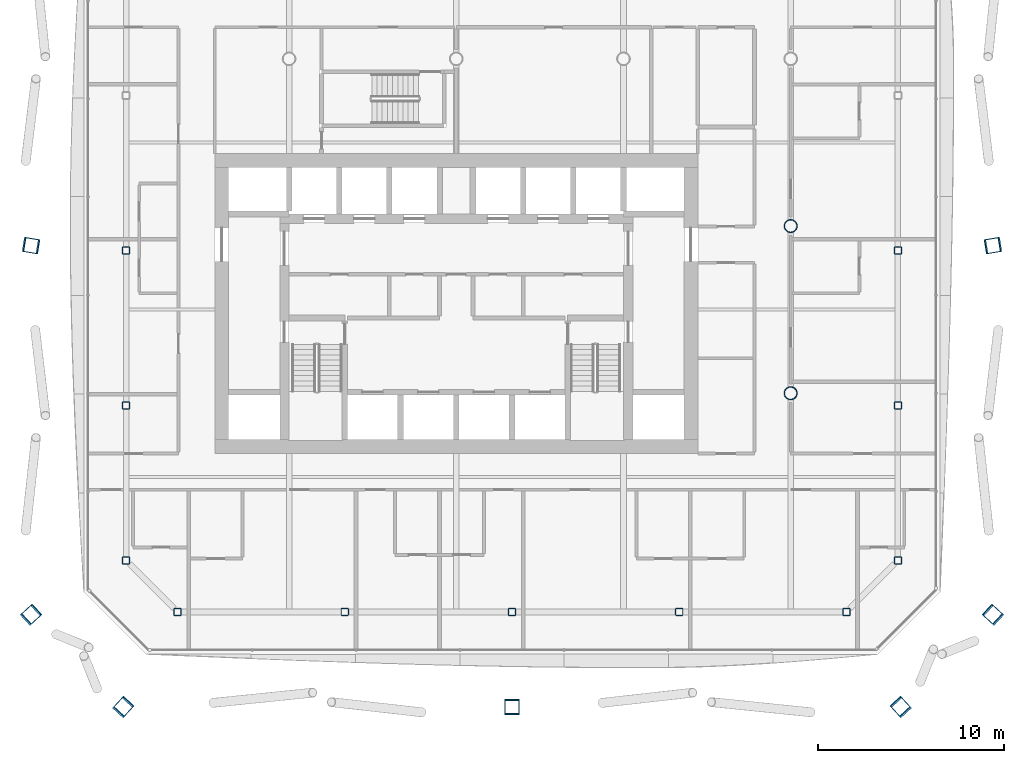
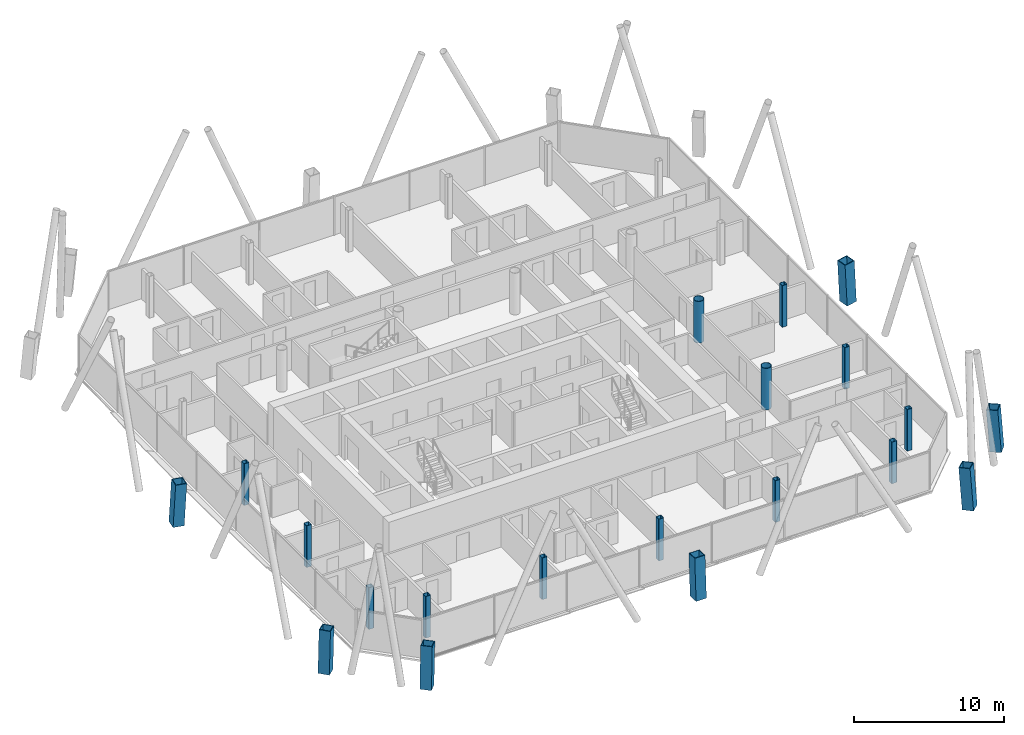
# One storey, part 1 of 23: 20 columns.
"""IFC4 building model written with IfcOpenShell, lengths in metres."""

from ifc_helpers import new_model, si_unit, direction, frame, origin, origin_2d, place, context, subcontext, project, spatial, hollow_rectangle, hollow_circle, extrude, material, material_profile, profile_set, type_object, element, save


model = new_model("IFC4")

# Units and contexts
model_context = context("Model", 3, precision=1e-05, world=origin(), true_north=direction((0.0, 1.0)))
body_context = subcontext(model_context, "Body", "Model", "MODEL_VIEW")
ifc_project = project(units=[si_unit("LENGTHUNIT", "METRE"), si_unit("AREAUNIT", "SQUARE_METRE"), si_unit("VOLUMEUNIT", "CUBIC_METRE"), si_unit("PLANEANGLEUNIT", "RADIAN"), si_unit("MASSUNIT", "GRAM", prefix="KILO")], contexts=[model_context])

# Site, building, storey
site_placement = place(None, origin())
site = spatial("IfcSite", under=ifc_project, at=site_placement, CompositionType="ELEMENT")
building_placement = place(site_placement, origin())
building = spatial("IfcBuilding", under=site, at=building_placement, Name="Tskaro Facet Tower", CompositionType="ELEMENT")
storey_placement = place(building_placement, frame((0.0, 0.0, 131.699951171875)))
storey = spatial("IfcBuildingStorey", under=building, at=storey_placement, Name="L31", CompositionType="ELEMENT", Elevation=131.699951171875)

# Columns
ifc_material_1 = material(Name="Steel S460M", Category="steel")
ifc_material_profile_1 = material_profile(ifc_material_1, hollow_rectangle(XDim=0.800048828125, YDim=0.800048828125, WallThickness=0.050048828125, at=origin_2d()), Name="BOX 800x800x50")
ifc_profile_set_1 = profile_set([ifc_material_profile_1], Name="Steel S460M")
column_type_1 = type_object("IfcColumnType", Name="BOX 800x800x50 mega column", PredefinedType="COLUMN", material=ifc_profile_set_1)
column_1_placement = place(storey_placement, frame((-17.950927734375, -25.9189453125, 0.0), z_axis=(0.048984240658, 0.053352718261, 0.997373566735), x_axis=(-0.736620357353, 0.676306475744, 0.0)))
element("IfcColumn", 1, at=column_1_placement, inside=storey, type_object=column_type_1, Name="BOX 800x800x50 MC01/3", PredefinedType="COLUMN", context=body_context, shape_type="SweptSolid", body=[
    extrude(hollow_rectangle(XDim=0.800048828125, YDim=0.800048828125, WallThickness=0.050048828125, at=origin_2d()), origin(), (0.0, 0.0, 1.0), 3.4091796875),
])
column_2_placement = place(storey_placement, frame((3.0, -25.9189453125, 0.0), z_axis=(0.0, 0.053416842427, 0.998572301311), x_axis=(-1.0, 0.0, 0.0)))
element("IfcColumn", 2, at=column_2_placement, inside=storey, type_object=column_type_1, Name="BOX 800x800x50 MC02/3", PredefinedType="COLUMN", context=body_context, shape_type="SweptSolid", body=[
    extrude(hollow_rectangle(XDim=0.800048828125, YDim=0.800048828125, WallThickness=0.050048828125, at=origin_2d()), origin(), (0.0, 0.0, 1.0), 3.405029296875),
])
for number, where, z_axis, x_axis, name in (
    (3, (23.950927734375, -25.9189453125, 0.0), (-0.048984240658, 0.053352718261, 0.997373566735), (-0.736620357353, -0.676306475744, 0.0), "BOX 800x800x50 MC03/3"),
    (4, (28.9189453125, -20.950927734375, 0.0), (-0.053352718261, 0.048984240658, 0.997373566735), (-0.676306475744, -0.736620357353, 0.0), "BOX 800x800x50 MC04/3"),
):
    element("IfcColumn", number, at=place(storey_placement, frame(where, z_axis=z_axis, x_axis=x_axis)), inside=storey, type_object=column_type_1, Name=name, PredefinedType="COLUMN", context=body_context, shape_type="SweptSolid", body=[
        extrude(hollow_rectangle(XDim=0.800048828125, YDim=0.800048828125, WallThickness=0.050048828125, at=origin_2d()), origin(), (0.0, 0.0, 1.0), 3.4091796875),
    ])
for number, where, z_axis, x_axis, name in (
    (5, (28.9189453125, -1.0458984375, 0.0), (-0.053414765233, -0.008818813589, 0.998533470336), (0.162895476227, -0.986643331617, 0.0), "BOX 800x800x50 MC05/3"),
    (6, (-22.9189453125, -1.0458984375, 0.0), (0.053414765233, -0.008818813589, 0.998533470336), (0.162895476227, 0.986643331617, 0.0), "BOX 800x800x50 MC11/3"),
):
    element("IfcColumn", number, at=place(storey_placement, frame(where, z_axis=z_axis, x_axis=x_axis)), inside=storey, type_object=column_type_1, Name=name, PredefinedType="COLUMN", context=body_context, shape_type="SweptSolid", body=[
        extrude(hollow_rectangle(XDim=0.800048828125, YDim=0.800048828125, WallThickness=0.050048828125, at=origin_2d()), origin(), (0.0, 0.0, 1.0), 3.405029296875),
    ])
column_3_placement = place(storey_placement, frame((-22.9189453125, -20.950927734375, 0.0), z_axis=(0.053352718261, 0.048984240658, 0.997373566735), x_axis=(-0.676306475744, 0.736620357353, 0.0)))
element("IfcColumn", 7, at=column_3_placement, inside=storey, type_object=column_type_1, Name="BOX 800x800x50 MC12/3", PredefinedType="COLUMN", context=body_context, shape_type="SweptSolid", body=[
    extrude(hollow_rectangle(XDim=0.800048828125, YDim=0.800048828125, WallThickness=0.050048828125, at=origin_2d()), origin(), (0.0, 0.0, 1.0), 3.4091796875),
])
ifc_material_2 = material(Name="Steel S355J2H", Category="steel")
ifc_material_profile_2 = material_profile(ifc_material_2, hollow_circle(Radius=0.35546875, WallThickness=0.031982421875, at=origin_2d()), Name="CHS 711x32")
ifc_profile_set_2 = profile_set([ifc_material_profile_2], Name="Steel S355J2H")
column_type_2 = type_object("IfcColumnType", Name="CHS 711x32 interior column", PredefinedType="COLUMN", material=ifc_profile_set_2)
for number, where, z_axis, x_axis, name in (
    (8, (18.0, -9.0, 0.0), (0.0, 0.0, 1.0), (1.0, 0.0, 0.0), "CHS 711x32 C6C/3"),
    (9, (18.0, 0.0, 0.0), (0.0, 0.0, 1.0), (1.0, 0.0, 0.0), "CHS 711x32 C6D/3"),
):
    element("IfcColumn", number, at=place(storey_placement, frame(where, z_axis=z_axis, x_axis=x_axis)), inside=storey, type_object=column_type_2, Name=name, PredefinedType="COLUMN", context=body_context, shape_type="SweptSolid", body=[
        extrude(hollow_circle(Radius=0.35546875, WallThickness=0.031982421875, at=origin_2d()), origin(), (0.0, 0.0, 1.0), 3.400146484375),
    ])
ifc_material_profile_3 = material_profile(ifc_material_2, hollow_rectangle(XDim=0.39990234375, YDim=0.39990234375, WallThickness=0.02001953125, InnerFilletRadius=0.030029296875, OuterFilletRadius=0.050048828125, at=origin_2d()), Name="SHS 400x400x20")
ifc_profile_set_3 = profile_set([ifc_material_profile_3], Name="Steel S355J2H")
column_type_3 = type_object("IfcColumnType", Name="SHS 400x400x20 ring column", PredefinedType="COLUMN", material=ifc_profile_set_3)
for number, where, z_axis, x_axis, name in (
    (10, (-14.9990234375, -20.77392578125, 0.0), (0.0, 0.0, 1.0), (1.0, 0.0, 0.0), "SHS 400x400x20 RS-1/3"),
    (11, (-6.0, -20.77392578125, 0.0), (0.0, 0.0, 1.0), (1.0, 0.0, 0.0), "SHS 400x400x20 RS-2/3"),
    (12, (3.0, -20.77392578125, 0.0), (0.0, 0.0, 1.0), (1.0, 0.0, 0.0), "SHS 400x400x20 RS-3/3"),
    (13, (12.0, -20.77392578125, 0.0), (0.0, 0.0, 1.0), (1.0, 0.0, 0.0), "SHS 400x400x20 RS-4/3"),
    (14, (20.9990234375, -20.77392578125, 0.0), (0.0, 0.0, 1.0), (1.0, 0.0, 0.0), "SHS 400x400x20 RSE-1/3"),
    (15, (23.77392578125, -17.9990234375, 0.0), (0.0, 0.0, 1.0), (1.0, 0.0, 0.0), "SHS 400x400x20 RE-1/3"),
    (16, (23.77392578125, -9.656982421875, 0.0), (0.0, 0.0, 1.0), (1.0, 0.0, 0.0), "SHS 400x400x20 RE-2/3"),
    (17, (23.77392578125, -1.31591796875, 0.0), (0.0, 0.0, 1.0), (1.0, 0.0, 0.0), "SHS 400x400x20 RE-3/3"),
    (18, (-17.77392578125, -1.31494140625, 0.0), (0.0, 0.0, 1.0), (1.0, 0.0, 0.0), "SHS 400x400x20 RW-3/3"),
    (19, (-17.77392578125, -9.656982421875, 0.0), (0.0, 0.0, 1.0), (1.0, 0.0, 0.0), "SHS 400x400x20 RW-4/3"),
    (20, (-17.77392578125, -17.9990234375, 0.0), (0.0, 0.0, 1.0), (1.0, 0.0, 0.0), "SHS 400x400x20 RSW-1/3"),
):
    element("IfcColumn", number, at=place(storey_placement, frame(where, z_axis=z_axis, x_axis=x_axis)), inside=storey, type_object=column_type_3, Name=name, PredefinedType="COLUMN", context=body_context, shape_type="SweptSolid", body=[
        extrude(hollow_rectangle(XDim=0.39990234375, YDim=0.39990234375, WallThickness=0.02001953125, InnerFilletRadius=0.030029296875, OuterFilletRadius=0.050048828125, at=origin_2d()), origin(), (0.0, 0.0, 1.0), 3.400146484375),
    ])

save(model, "model.ifc")
